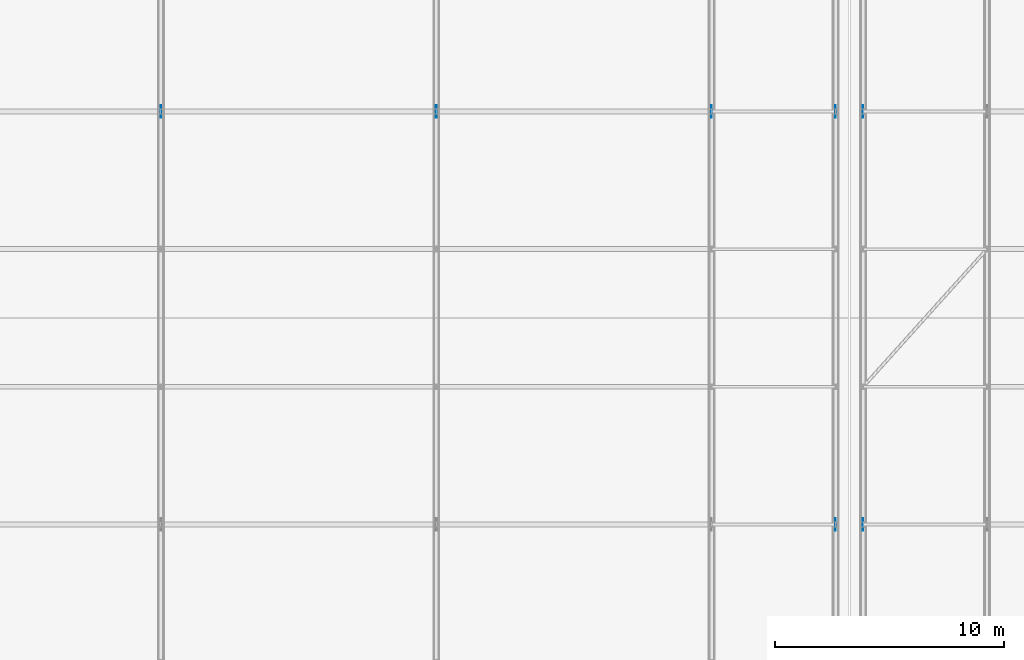
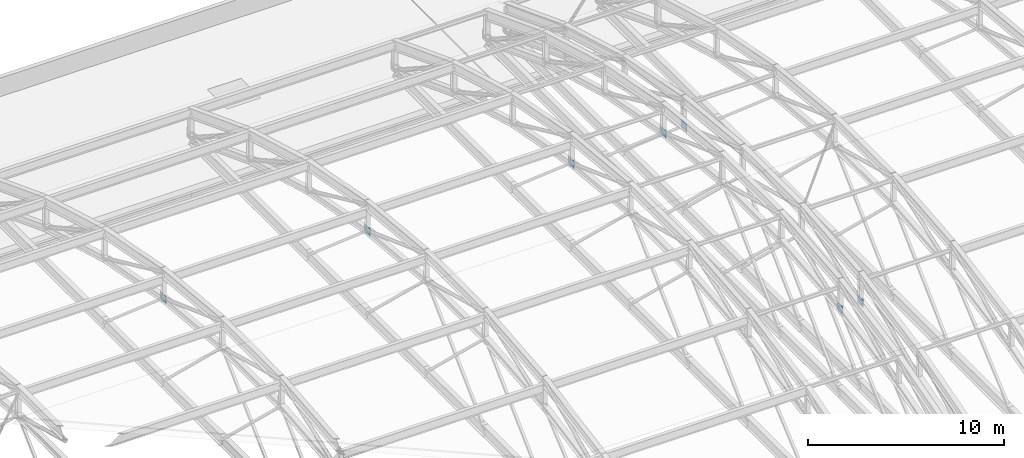
# One storey, part 179 of 204: 7 plates.
"""IFC4 building model written with IfcOpenShell, lengths in metres."""

from ifc_helpers import new_model, si_unit, direction, frame, origin, origin_2d, place, context, subcontext, project, spatial, rectangle, extrude, material, layer, layer_set, type_object, element, save


model = new_model("IFC4")

# Units and contexts
model_context = context("Model", 3, precision=1e-05, world=origin(), true_north=direction((0.0, 1.0)))
body_context = subcontext(model_context, "Body", "Model", "MODEL_VIEW")
ifc_project = project(units=[si_unit("LENGTHUNIT", "METRE"), si_unit("AREAUNIT", "SQUARE_METRE"), si_unit("VOLUMEUNIT", "CUBIC_METRE"), si_unit("PLANEANGLEUNIT", "RADIAN"), si_unit("MASSUNIT", "GRAM", prefix="KILO")], contexts=[model_context])

# Site, building, storey
site_placement = place(None, origin())
site = spatial("IfcSite", under=ifc_project, at=site_placement, CompositionType="ELEMENT")
building_placement = place(site_placement, origin())
building = spatial("IfcBuilding", under=site, at=building_placement, Name="Zilviju Railside Exhibition Hall", CompositionType="ELEMENT")
storey_placement = place(building_placement, frame((0.0, 0.0, 21.0)))
storey = spatial("IfcBuildingStorey", under=building, at=storey_placement, Name="RF", CompositionType="ELEMENT", Elevation=21.0)

# Plates
ifc_material = material(Name="Steel S355ML", Category="steel")
ifc_layer_1 = layer(ifc_material, 0.02392578125)
ifc_layer_set_1 = layer_set([ifc_layer_1], Name="Steel S355ML")
plate_type_1 = type_object("IfcPlateType", Name="PLATE-GP-24", PredefinedType="SHEET", material=ifc_layer_set_1)
for number, where, z_axis, x_axis, name in (
    (1, (125.39990234375, 102.0, 1.3056640625), (0.0, 0.0, 1.0), (1.0, 0.0, 0.0), "V2 Truss Node Gusset Plate X=125.4 N3"),
    (2, (126.60009765625, 102.0, 1.3056640625), (0.0, 0.0, 1.0), (1.0, 0.0, 0.0), "V2 Truss Node Gusset Plate X=126.6 N3"),
):
    element("IfcPlate", number, at=place(storey_placement, frame(where, z_axis=z_axis, x_axis=x_axis)), inside=storey, type_object=plate_type_1, Name=name, PredefinedType="SHEET", context=body_context, shape_type="SweptSolid", body=[
        extrude(rectangle(XDim=0.02392578125, YDim=0.550048828125, at=origin_2d()), origin(), (0.0, 0.0, 1.0), 0.5),
    ])
ifc_layer_2 = layer(ifc_material, 0.028076171875)
ifc_layer_set_2 = layer_set([ifc_layer_2], Name="Steel S355ML")
plate_type_2 = type_object("IfcPlateType", Name="PLATE-GP-28", PredefinedType="SHEET", material=ifc_layer_set_2)
for number, where, z_axis, x_axis, name in (
    (3, (96.0, 120.0, 1.3056640625), (0.0, 0.0, 1.0), (1.0, 0.0, 0.0), "V2 Truss Node Gusset Plate X=96.0 N6"),
    (4, (108.0, 120.0, 1.3056640625), (0.0, 0.0, 1.0), (1.0, 0.0, 0.0), "V2 Truss Node Gusset Plate X=108.0 N6"),
    (5, (120.0, 120.0, 1.3056640625), (0.0, 0.0, 1.0), (1.0, 0.0, 0.0), "V2 Truss Node Gusset Plate X=120.0 N6"),
    (6, (125.39990234375, 120.0, 1.3056640625), (0.0, 0.0, 1.0), (1.0, 0.0, 0.0), "V2 Truss Node Gusset Plate X=125.4 N6"),
    (7, (126.60009765625, 120.0, 1.3056640625), (0.0, 0.0, 1.0), (1.0, 0.0, 0.0), "V2 Truss Node Gusset Plate X=126.6 N6"),
):
    element("IfcPlate", number, at=place(storey_placement, frame(where, z_axis=z_axis, x_axis=x_axis)), inside=storey, type_object=plate_type_2, Name=name, PredefinedType="SHEET", context=body_context, shape_type="SweptSolid", body=[
        extrude(rectangle(XDim=0.028076171875, YDim=0.550048828125, at=origin_2d()), origin(), (0.0, 0.0, 1.0), 0.5),
    ])

save(model, "model.ifc")
